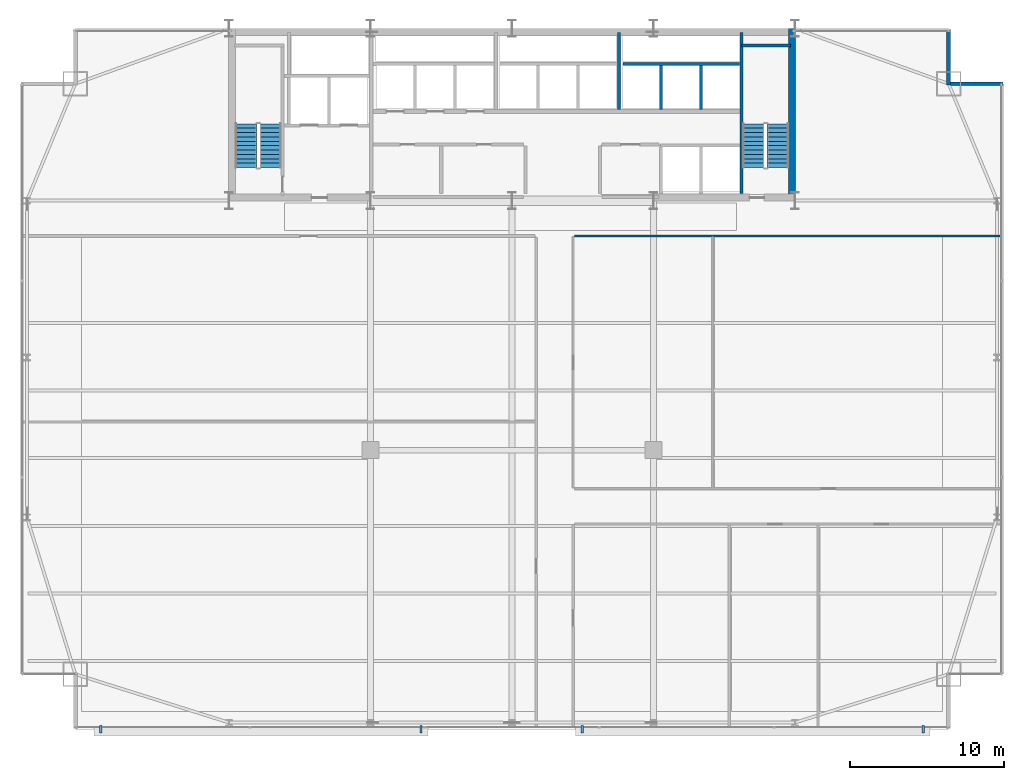
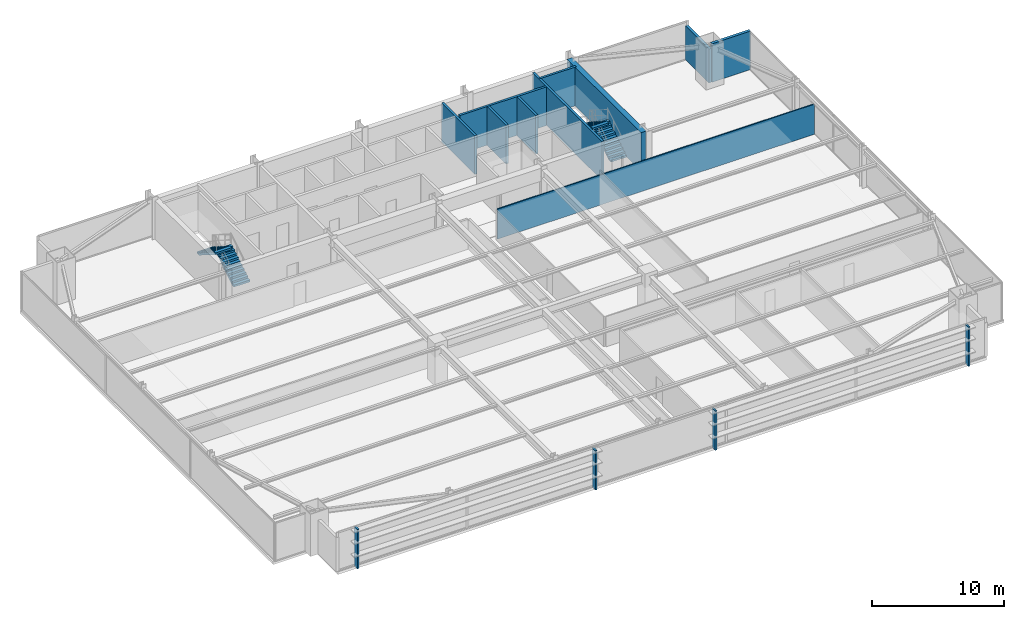
# One storey, part 30 of 32: 10 walls, 4 discrete accessories, 4 stair flights, 2 elements without a shape of their own.
"""IFC4 building model written with IfcOpenShell, lengths in metres."""

import ifcopenshell
import ifcopenshell.guid

model = None  # the IFC model being written
_history = None  # IfcOwnerHistory: only IFC2X3 demands one
_inside = {}  # id of a spatial element -> (the spatial element, [elements in it])
_under = {}  # id of a project, library or spatial element -> (it, [spatial elements below it])
_declared = {}  # id of a project -> (the project, [libraries it declares])
_typed = {}  # id of a type object -> (the type object, [elements of that type])
_made_of = {}  # id of a material, layer set ... -> (it, [elements and type objects made of it])


def new_model(schema):
    """Start an empty IFC model of exactly this schema.

    Asked for "IFC4X3", IfcOpenShell would pick the latest addendum, in which some entities
    have other attributes; the version numbers below select the first issue.
    IFC2X3 requires an IfcOwnerHistory on every rooted entity: one is made here for all.
    """
    global model, _history
    if schema == "IFC4X3":
        model = ifcopenshell.file(schema_version=(4, 3, 0, 0))
    else:
        model = ifcopenshell.file(schema=schema)
    _inside.clear()
    _under.clear()
    _declared.clear()
    _typed.clear()
    _made_of.clear()
    _history = None
    if model.schema == "IFC2X3":
        org = make("IfcOrganization", Name="unknown")
        user = make(
            "IfcPersonAndOrganization",
            ThePerson=make("IfcPerson", FamilyName="unknown"),
            TheOrganization=org,
        )
        app = make(
            "IfcApplication",
            ApplicationDeveloper=org,
            Version="unknown",
            ApplicationFullName="unknown",
            ApplicationIdentifier="unknown",
        )
        _history = make(
            "IfcOwnerHistory",
            OwningUser=user,
            OwningApplication=app,
            ChangeAction="ADDED",
            CreationDate=0,
        )
    return model


def make(cls, **values):
    """One entity of the class cls with the attributes given. An attribute that is None is left unset."""
    return model.create_entity(
        cls, **{name: value for name, value in values.items() if value is not None}
    )


def rooted(cls, **values):
    """An entity with a GlobalId (a new one), such as an element, a storey or a relation."""
    return make(cls, GlobalId=ifcopenshell.guid.new(), OwnerHistory=_history, **values)


def si_unit(unit_type, name, prefix=None):
    """IfcSIUnit, for example si_unit("LENGTHUNIT", "METRE", prefix="MILLI")."""
    return make("IfcSIUnit", UnitType=unit_type, Prefix=prefix, Name=name)


def assignment(units):
    """IfcUnitAssignment: the units of a project."""
    return None if units is None else make("IfcUnitAssignment", Units=units)


def point(xyz):
    """IfcCartesianPoint."""
    return None if xyz is None else make("IfcCartesianPoint", Coordinates=xyz)


def direction(xyz):
    """IfcDirection."""
    return None if xyz is None else make("IfcDirection", DirectionRatios=xyz)


def frame(location, z_axis=None, x_axis=None):
    """IfcAxis2Placement3D, a coordinate frame: its origin and axes. An axis left out is left unset."""
    return make(
        "IfcAxis2Placement3D",
        Location=point(location),
        Axis=direction(z_axis),
        RefDirection=direction(x_axis),
    )


def frame_2d(location, x_axis=None):
    """IfcAxis2Placement2D, a coordinate frame in the plane: its origin and x axis."""
    return make(
        "IfcAxis2Placement2D", Location=point(location), RefDirection=direction(x_axis)
    )


def origin():
    """The frame at (0, 0, 0) with its axes left unset."""
    return frame((0.0, 0.0, 0.0))


def origin_2d():
    """The frame at (0, 0) in the plane with its x axis left unset."""
    return frame_2d((0.0, 0.0))


def place(relative_to, where):
    """IfcLocalPlacement: puts the frame where relative to a parent placement (None: the world)."""
    return make(
        "IfcLocalPlacement", PlacementRelTo=relative_to, RelativePlacement=where
    )


def context(
    kind, dimensions, precision=None, world=None, true_north=None, identifier=None
):
    """IfcGeometricRepresentationContext, for example the 3D "Model" context."""
    return make(
        "IfcGeometricRepresentationContext",
        ContextIdentifier=identifier,
        ContextType=kind,
        CoordinateSpaceDimension=dimensions,
        Precision=precision,
        WorldCoordinateSystem=world,
        TrueNorth=true_north,
    )


def subcontext(parent, identifier, kind, view, scale=None):
    """IfcGeometricRepresentationSubContext, for example "Body" below "Model"."""
    return make(
        "IfcGeometricRepresentationSubContext",
        ContextIdentifier=identifier,
        ContextType=kind,
        ParentContext=parent,
        TargetScale=scale,
        TargetView=view,
    )


def project(units=None, contexts=None):
    """IfcProject with its units and contexts."""
    return rooted(
        "IfcProject",
        Name="project",
        RepresentationContexts=contexts,
        UnitsInContext=assignment(units),
    )


def spatial(cls, under=None, at=None, **own):
    """A site, building, storey or space (cls), placed at a placement, below another one or the project."""
    s = rooted(cls, ObjectPlacement=at, **own)
    if under is not None:
        _under.setdefault(under.id(), (under, []))[1].append(s)
    return s


def polyline(points):
    """IfcPolyline through the points."""
    return make("IfcPolyline", Points=[point(p) for p in points])


def profile(cls, at=None, kind="AREA", **sizes):
    """A parametric profile (cls). Its sizes go by their IFC names, for example OverallWidth=200.0."""
    return make(cls, ProfileType=kind, Position=at, **sizes)


def rectangle(**sizes):
    """IfcRectangleProfileDef."""
    return profile("IfcRectangleProfileDef", **sizes)


def outline(outer, holes=None, kind="AREA"):
    """IfcArbitraryClosedProfileDef: a profile drawn as a closed curve; with holes, ...WithVoids."""
    if holes is None:
        return make("IfcArbitraryClosedProfileDef", ProfileType=kind, OuterCurve=outer)
    return make(
        "IfcArbitraryProfileDefWithVoids",
        ProfileType=kind,
        OuterCurve=outer,
        InnerCurves=holes,
    )


def extrude(swept, where, along, depth):
    """IfcExtrudedAreaSolid: the profile swept, set in the frame where, extruded along a direction by depth."""
    return make(
        "IfcExtrudedAreaSolid",
        SweptArea=swept,
        Position=where,
        ExtrudedDirection=direction(along),
        Depth=depth,
    )


def shape(context_of_items, identifier, shape_type, items):
    """IfcShapeRepresentation: the items that make up one representation, for example the "Body"."""
    return make(
        "IfcShapeRepresentation",
        ContextOfItems=context_of_items,
        RepresentationIdentifier=identifier,
        RepresentationType=shape_type,
        Items=items,
    )


def source(mapping_origin, context_of_items, identifier, shape_type, items):
    """IfcRepresentationMap: a shape defined once, which mapped items show again and again."""
    return make(
        "IfcRepresentationMap",
        MappingOrigin=mapping_origin,
        MappedRepresentation=shape(context_of_items, identifier, shape_type, items),
    )


def transform(
    local_origin,
    x_axis=None,
    y_axis=None,
    z_axis=None,
    scale=None,
    scale2=None,
    scale3=None,
    uniform=True,
):
    """IfcCartesianTransformationOperator3D, or its non-uniform kind. x_axis, y_axis, z_axis: its Axis1, 2, 3."""
    if uniform:
        return make(
            "IfcCartesianTransformationOperator3D",
            Axis1=direction(x_axis),
            Axis2=direction(y_axis),
            LocalOrigin=point(local_origin),
            Scale=scale,
            Axis3=direction(z_axis),
        )
    return make(
        "IfcCartesianTransformationOperator3DnonUniform",
        Axis1=direction(x_axis),
        Axis2=direction(y_axis),
        LocalOrigin=point(local_origin),
        Scale=scale,
        Axis3=direction(z_axis),
        Scale2=scale2,
        Scale3=scale3,
    )


def mapped(mapping_source, mapping_target):
    """IfcMappedItem: shows the shape of a source again, moved by a transform."""
    return make(
        "IfcMappedItem", MappingSource=mapping_source, MappingTarget=mapping_target
    )


def material(Name=None, Category=None):
    """IfcMaterial."""
    return make("IfcMaterial", Name=Name, Category=Category)


def layer(
    of_material, thickness, ventilated=None, Name=None, Category=None, Priority=None
):
    """IfcMaterialLayer: one layer of a wall or slab, of a material (None: an air gap)."""
    return make(
        "IfcMaterialLayer",
        Material=of_material,
        LayerThickness=thickness,
        IsVentilated=ventilated,
        Name=Name,
        Category=Category,
        Priority=Priority,
    )


def layer_set(layers, Name=None):
    """IfcMaterialLayerSet."""
    return make("IfcMaterialLayerSet", MaterialLayers=layers, LayerSetName=Name)


def made_of(thing, what):
    """Note that an element or type object is made of a material, layer set ...; save() writes the relation."""
    if what is not None:
        _made_of.setdefault(what.id(), (what, []))[1].append(thing)
    return thing


def type_object(cls, material=None, **own):
    """A type object (cls), such as IfcWallType, which elements share."""
    return made_of(rooted(cls, **own), material)


def type_shapes(of_type, sources):
    """Give a type object the sources (RepresentationMaps) that its elements show as mapped items."""
    of_type.RepresentationMaps = sources


def element(
    cls,
    number,
    at=None,
    inside=None,
    cuts=None,
    type_object=None,
    material=None,
    context=None,
    identifier="Body",
    shape_type=None,
    held_by="IfcProductDefinitionShape",
    body=None,
    shapes=None,
    **own,
):
    """One element of the class cls, such as IfcWall. Its Tag is "e" and its number.

    at: its placement. inside: the storey or other place that contains it. cuts: it is an
    opening in that element (IfcRelVoidsElement). A single representation is given by context,
    identifier, shape_type and body (its items); several are given by shapes. held_by: the class
    of the entity that holds the representations. save() writes the other relations.
    """
    e = rooted(cls, Tag="e%d" % number, ObjectPlacement=at, **own)
    if body is not None:
        shapes = [shape(context, identifier, shape_type, body)]
    if shapes is not None:
        e.Representation = make(held_by, Representations=shapes)
    if inside is not None:
        _inside.setdefault(inside.id(), (inside, []))[1].append(e)
    if cuts is not None:
        rooted(
            "IfcRelVoidsElement", RelatingBuildingElement=cuts, RelatedOpeningElement=e
        )
    if type_object is not None:
        _typed.setdefault(type_object.id(), (type_object, []))[1].append(e)
    return made_of(e, material)


def aggregate(whole, parts):
    """IfcRelAggregates: a whole, such as a stair, and the parts it consists of."""
    return rooted("IfcRelAggregates", RelatingObject=whole, RelatedObjects=parts)


def save(model, path):
    """Write the relations noted so far, then the file.

    IfcRelAggregates (storeys below a building ...), IfcRelContainedInSpatialStructure (elements
    in a storey), IfcRelDefinesByType, IfcRelAssociatesMaterial and IfcRelDeclares: one each for
    every whole, place, type object, material and project.
    """
    for whole, parts in _under.values():
        aggregate(whole, parts)
    for where, things in _inside.values():
        rooted(
            "IfcRelContainedInSpatialStructure",
            RelatedElements=things,
            RelatingStructure=where,
        )
    for kind, things in _typed.values():
        rooted("IfcRelDefinesByType", RelatedObjects=things, RelatingType=kind)
    for what, things in _made_of.values():
        rooted("IfcRelAssociatesMaterial", RelatedObjects=things, RelatingMaterial=what)
    for by, libraries in _declared.values():
        rooted("IfcRelDeclares", RelatingContext=by, RelatedDefinitions=libraries)
    model.write(path)


model = new_model("IFC4")

# Units and contexts
model_context = context("Model", 3, precision=1e-05, world=origin(), true_north=direction((0.0, 1.0)))
body_context = subcontext(model_context, "Body", "Model", "MODEL_VIEW")
ifc_project = project(units=[si_unit("LENGTHUNIT", "METRE"), si_unit("AREAUNIT", "SQUARE_METRE"), si_unit("VOLUMEUNIT", "CUBIC_METRE"), si_unit("PLANEANGLEUNIT", "RADIAN"), si_unit("MASSUNIT", "GRAM", prefix="KILO")], contexts=[model_context])

# Site, building, storey
site_placement = place(None, origin())
site = spatial("IfcSite", under=ifc_project, at=site_placement, CompositionType="ELEMENT")
building_placement = place(site_placement, origin())
building = spatial("IfcBuilding", under=site, at=building_placement, Name="Varnel Quay Broadcast Tower", CompositionType="ELEMENT")
storey_placement = place(building_placement, frame((0.0, 0.0, 78.300048828125)))
storey = spatial("IfcBuildingStorey", under=building, at=storey_placement, Name="L18", CompositionType="ELEMENT", Elevation=78.300048828125)

# Walls
ifc_material_1 = material(Name="Concrete CSA A23.3 C50/60", Category="concrete")
ifc_layer_1 = layer(ifc_material_1, 0.199951171875, Name="Concrete CSA A23.3 C50/60")
ifc_layer_set_1 = layer_set([ifc_layer_1], Name="Concrete CSA A23.3 C50/60")
wall_type_1 = type_object("IfcWallType", Name="Wall_CoreShaftShear200", PredefinedType="SHEAR", material=ifc_layer_set_1)
wall_1_placement = place(storey_placement, frame((48.919921875, 36.050048828125, 0.0), z_axis=(0.0, 0.0, 1.0), x_axis=(0.0, 1.0, 0.0)))
element("IfcWall", 1, at=wall_1_placement, inside=storey, type_object=wall_type_1, Name="L18 Stair 2 West Structural Wall", PredefinedType="SHEAR", context=body_context, shape_type="SweptSolid", body=[
    extrude(rectangle(XDim=10.5, YDim=0.199951171875, at=frame_2d((5.25, 0.0))), origin(), (0.0, 0.0, 1.0), 3.579833984375),
])
wall_2_placement = place(storey_placement, frame((48.919921875, 45.679931640625, 0.0), z_axis=(0.0, 0.0, 1.0), x_axis=(1.0, 0.0, 0.0)))
element("IfcWall", 2, at=wall_2_placement, inside=storey, type_object=wall_type_1, Name="L18 Stair 2 North Structural Wall", PredefinedType="SHEAR", context=body_context, shape_type="SweptSolid", body=[
    extrude(rectangle(XDim=3.18017578125, YDim=0.199951171875, at=frame_2d((1.590087890625, 0.0))), origin(), (0.0, 0.0, 1.0), 3.579833984375),
])
wall_3_placement = place(storey_placement, frame((40.949951171875, 41.530029296875, 0.0), z_axis=(0.0, 0.0, 1.0), x_axis=(0.0, 1.0, 0.0)))
element("IfcWall", 3, at=wall_3_placement, inside=storey, type_object=wall_type_1, Name="L18 Mid-Rise Lift Shaft Divider 4", PredefinedType="SHEAR", context=body_context, shape_type="SweptSolid", body=[
    extrude(rectangle(XDim=5.02001953125, YDim=0.199951171875, at=frame_2d((2.510009765625, 0.0))), origin(), (0.0, 0.0, 1.0), 3.579833984375),
])
wall_4_placement = place(storey_placement, frame((41.219970703125, 44.5, 0.0), z_axis=(0.0, 0.0, 1.0), x_axis=(1.0, 0.0, 0.0)))
element("IfcWall", 4, at=wall_4_placement, inside=storey, type_object=wall_type_1, Name="L18 High-Rise Lift Shaft Rear Wall", PredefinedType="SHEAR", context=body_context, shape_type="SweptSolid", body=[
    extrude(rectangle(XDim=7.580078125, YDim=0.199951171875, at=frame_2d((3.7900390625, 0.0))), origin(), (0.0, 0.0, 1.0), 3.579833984375),
])
for number, where, z_axis, x_axis, name in (
    (5, (43.699951171875, 41.530029296875, 0.0), (0.0, 0.0, 1.0), (0.0, 1.0, 0.0), "L18 High-Rise Lift Shaft Divider 2"),
    (6, (46.300048828125, 41.530029296875, 0.0), (0.0, 0.0, 1.0), (0.0, 1.0, 0.0), "L18 High-Rise Lift Shaft Divider 3"),
):
    element("IfcWall", number, at=place(storey_placement, frame(where, z_axis=z_axis, x_axis=x_axis)), inside=storey, type_object=wall_type_1, Name=name, PredefinedType="SHEAR", context=body_context, shape_type="SweptSolid", body=[
        extrude(rectangle(XDim=2.869873046875, YDim=0.199951171875, at=frame_2d((1.43505859375, 0.0))), origin(), (0.0, 0.0, 1.0), 3.579833984375),
    ])
ifc_material_2 = material(Name="Concrete CSA A23.3 C60/75", Category="concrete")
ifc_layer_2 = layer(ifc_material_2, 0.449951171875, Name="Concrete CSA A23.3 C60/75")
ifc_layer_set_2 = layer_set([ifc_layer_2], Name="Concrete CSA A23.3 C60/75")
wall_type_2 = type_object("IfcWallType", Name="Wall_CoreShearInt450", PredefinedType="SHEAR", material=ifc_layer_set_2)
wall_5_placement = place(storey_placement, frame((52.205078125, 35.570068359375, 0.0), z_axis=(0.0, 0.0, 1.0), x_axis=(0.0, 1.0, 0.0)))
element("IfcWall", 7, at=wall_5_placement, inside=storey, type_object=wall_type_2, Name="L18 East Core Shear Wall", PredefinedType="SHEAR", context=body_context, shape_type="SweptSolid", body=[
    extrude(rectangle(XDim=11.22998046875, YDim=0.449951171875, at=frame_2d((5.614990234375, 0.0))), origin(), (0.0, 0.0, 1.0), 3.579833984375),
])
ifc_material_3 = material(Name="Precast Architectural Concrete C40/50", Category="concrete")
ifc_layer_3 = layer(ifc_material_3, 0.25, Name="Precast Architectural Concrete C40/50")
ifc_layer_set_3 = layer_set([ifc_layer_3], Name="Precast Architectural Concrete C40/50")
wall_type_3 = type_object("IfcWallType", Name="Wall_ExtTerrace250", PredefinedType="SOLIDWALL", material=ifc_layer_set_3)
wall_6_placement = place(storey_placement, frame((62.530029296875, 43.199951171875, 0.0), z_axis=(0.0, 0.0, 1.0), x_axis=(1.0, 0.0, 0.0)))
element("IfcWall", 8, at=wall_6_placement, inside=storey, type_object=wall_type_3, Name="L18 Mega-Column Notch Cladding Wall NNE1", PredefinedType="SOLIDWALL", context=body_context, shape_type="SweptSolid", body=[
    extrude(rectangle(XDim=3.389892578125, YDim=0.25, at=frame_2d((1.69482421875, 0.0))), origin(), (0.0, 0.0, 1.0), 3.56005859375),
])
wall_7_placement = place(storey_placement, frame((62.39990234375, 43.1201171875, 0.0), z_axis=(0.0, 0.0, 1.0), x_axis=(0.0, 1.0, 0.0)))
element("IfcWall", 9, at=wall_7_placement, inside=storey, type_object=wall_type_3, Name="L18 Mega-Column Notch Cladding Wall NNE2", PredefinedType="SOLIDWALL", context=body_context, shape_type="SweptSolid", body=[
    extrude(rectangle(XDim=3.599853515625, YDim=0.25, at=frame_2d((1.7998046875, 0.0))), origin(), (0.0, 0.0, 1.0), 3.137939453125),
])
ifc_material_4 = material(Name="Steel-Stud Fire-Rated Acoustic Gypsum Partition Assembly", Category="steel")
ifc_layer_4 = layer(ifc_material_4, 0.10498046875, Name="Steel-Stud Fire-Rated Acoustic Gypsum Partition Assembly")
ifc_layer_set_4 = layer_set([ifc_layer_4], Name="Steel-Stud Fire-Rated Acoustic Gypsum Partition Assembly")
wall_type_4 = type_object("IfcWallType", Name="Wall_Partition105", PredefinedType="PARTITIONING", material=ifc_layer_set_4)
wall_8_placement = place(storey_placement, frame((38.080078125, 33.300048828125, 0.0), z_axis=(0.0, 0.0, 1.0), x_axis=(1.0, 0.0, 0.0)))
element("IfcWall", 10, at=wall_8_placement, inside=storey, type_object=wall_type_4, Name="L18 Lens & Rigging Store 6 Partition 17", PredefinedType="PARTITIONING", context=body_context, shape_type="SweptSolid", body=[
    extrude(rectangle(XDim=27.739990234375, YDim=0.10498046875, at=frame_2d((13.8701171875, 0.0))), origin(), (0.0, 0.0, 1.0), 2.781982421875),
])

# Stair, stair flights
ifc_material_5 = material(Name="Precast Structural Concrete C40/50", Category="concrete")
stair_type_1 = type_object("IfcStairType", Name="Stair_ST-01", PredefinedType="HALF_TURN_STAIR", material=ifc_material_5)
stair_1_placement = place(storey_placement, origin())
stair_1 = element("IfcStair", 11, at=stair_1_placement, inside=storey, type_object=stair_type_1, Name="L18 West Core Exit Stair 1", PredefinedType="HALF_TURN_STAIR")
stair_flight_type_1 = type_object("IfcStairFlightType", Name="Flight_ST-01", PredefinedType="STRAIGHT", material=ifc_material_5)
stair_flight_1_placement = place(storey_placement, frame((18.300048828125, 37.75, 0.0), z_axis=(0.0, 0.0, 1.0), x_axis=(0.0, 1.0, 0.0)))
stair_flight_1 = element("IfcStairFlight", 12, at=stair_flight_1_placement, type_object=stair_flight_type_1, Name="ST-01 flight 1", NumberOfRisers=11, NumberOfTreads=10, PredefinedType="STRAIGHT", RiserHeight=0.177272727, TreadLength=0.285, context=body_context, shape_type="SweptSolid", body=[
    extrude(outline(polyline([(0.0, 0.0), (0.0, 0.17724609375), (0.284912109375, 0.17724609375), (0.284912109375, 0.3544921875), (0.570068359375, 0.3544921875), (0.570068359375, 0.53173828125), (0.85498046875, 0.53173828125), (0.85498046875, 0.708984375), (1.139892578125, 0.708984375), (1.139892578125, 0.886474609375), (1.425048828125, 0.886474609375), (1.425048828125, 1.063720703125), (1.7099609375, 1.063720703125), (1.7099609375, 1.240966796875), (1.9951171875, 1.240966796875), (1.9951171875, 1.418212890625), (2.280029296875, 1.418212890625), (2.280029296875, 1.595458984375), (2.56494140625, 1.595458984375), (2.56494140625, 1.772705078125), (2.85009765625, 1.772705078125), (2.85009765625, 1.949951171875), (2.85009765625, 1.59619140625), (0.283935546875, 0.0), (0.0, 0.0)])), frame((0.0, 0.699951171875, 0.0), z_axis=(0.0, -1.0, 0.0), x_axis=(1.0, 0.0, 0.0)), (0.0, 0.0, 1.0), 1.39990234375),
])
stair_flight_2_placement = place(storey_placement, frame((16.699951171875, 40.60009765625, 1.949951171875), z_axis=(0.0, 0.0, 1.0), x_axis=(0.0, -1.0, 0.0)))
stair_flight_2 = element("IfcStairFlight", 13, at=stair_flight_2_placement, type_object=stair_flight_type_1, Name="ST-01 flight 2", NumberOfRisers=11, NumberOfTreads=10, PredefinedType="STRAIGHT", RiserHeight=0.177272727, TreadLength=0.285, context=body_context, shape_type="SweptSolid", body=[
    extrude(outline(polyline([(0.0, 0.0), (0.0, 0.17724609375), (0.284912109375, 0.17724609375), (0.284912109375, 0.3544921875), (0.570068359375, 0.3544921875), (0.570068359375, 0.53173828125), (0.85498046875, 0.53173828125), (0.85498046875, 0.708984375), (1.139892578125, 0.708984375), (1.139892578125, 0.886474609375), (1.425048828125, 0.886474609375), (1.425048828125, 1.063720703125), (1.7099609375, 1.063720703125), (1.7099609375, 1.240966796875), (1.9951171875, 1.240966796875), (1.9951171875, 1.418212890625), (2.280029296875, 1.418212890625), (2.280029296875, 1.595458984375), (2.56494140625, 1.595458984375), (2.56494140625, 1.772705078125), (2.85009765625, 1.772705078125), (2.85009765625, 1.949951171875), (2.85009765625, 1.59619140625), (0.283935546875, 0.0), (0.0, 0.0)])), frame((0.0, 0.699951171875, 0.0), z_axis=(0.0, -1.0, 0.0), x_axis=(1.0, 0.0, 0.0)), (0.0, 0.0, 1.0), 1.39990234375),
])
aggregate(stair_1, [stair_flight_1, stair_flight_2])

stair_type_2 = type_object("IfcStairType", Name="Stair_ST-02", PredefinedType="HALF_TURN_STAIR", material=ifc_material_5)
stair_2_placement = place(storey_placement, origin())
stair_2 = element("IfcStair", 14, at=stair_2_placement, inside=storey, type_object=stair_type_2, Name="L18 East Core Exit Stair 2", PredefinedType="HALF_TURN_STAIR")
stair_flight_type_2 = type_object("IfcStairFlightType", Name="Flight_ST-02", PredefinedType="STRAIGHT", material=ifc_material_5)
stair_flight_3_placement = place(storey_placement, frame((51.300048828125, 37.75, 0.0), z_axis=(0.0, 0.0, 1.0), x_axis=(0.0, 1.0, 0.0)))
stair_flight_3 = element("IfcStairFlight", 15, at=stair_flight_3_placement, type_object=stair_flight_type_2, Name="ST-02 flight 1", NumberOfRisers=11, NumberOfTreads=10, PredefinedType="STRAIGHT", RiserHeight=0.177272727, TreadLength=0.285, context=body_context, shape_type="SweptSolid", body=[
    extrude(outline(polyline([(0.0, 0.0), (0.0, 0.17724609375), (0.284912109375, 0.17724609375), (0.284912109375, 0.3544921875), (0.570068359375, 0.3544921875), (0.570068359375, 0.53173828125), (0.85498046875, 0.53173828125), (0.85498046875, 0.708984375), (1.139892578125, 0.708984375), (1.139892578125, 0.886474609375), (1.425048828125, 0.886474609375), (1.425048828125, 1.063720703125), (1.7099609375, 1.063720703125), (1.7099609375, 1.240966796875), (1.9951171875, 1.240966796875), (1.9951171875, 1.418212890625), (2.280029296875, 1.418212890625), (2.280029296875, 1.595458984375), (2.56494140625, 1.595458984375), (2.56494140625, 1.772705078125), (2.85009765625, 1.772705078125), (2.85009765625, 1.949951171875), (2.85009765625, 1.59619140625), (0.283935546875, 0.0), (0.0, 0.0)])), frame((0.0, 0.699951171875, 0.0), z_axis=(0.0, -1.0, 0.0), x_axis=(1.0, 0.0, 0.0)), (0.0, 0.0, 1.0), 1.39990234375),
])
stair_flight_4_placement = place(storey_placement, frame((49.699951171875, 40.60009765625, 1.949951171875), z_axis=(0.0, 0.0, 1.0), x_axis=(0.0, -1.0, 0.0)))
stair_flight_4 = element("IfcStairFlight", 16, at=stair_flight_4_placement, type_object=stair_flight_type_2, Name="ST-02 flight 2", NumberOfRisers=11, NumberOfTreads=10, PredefinedType="STRAIGHT", RiserHeight=0.177272727, TreadLength=0.285, context=body_context, shape_type="SweptSolid", body=[
    extrude(outline(polyline([(0.0, 0.0), (0.0, 0.17724609375), (0.284912109375, 0.17724609375), (0.284912109375, 0.3544921875), (0.570068359375, 0.3544921875), (0.570068359375, 0.53173828125), (0.85498046875, 0.53173828125), (0.85498046875, 0.708984375), (1.139892578125, 0.708984375), (1.139892578125, 0.886474609375), (1.425048828125, 0.886474609375), (1.425048828125, 1.063720703125), (1.7099609375, 1.063720703125), (1.7099609375, 1.240966796875), (1.9951171875, 1.240966796875), (1.9951171875, 1.418212890625), (2.280029296875, 1.418212890625), (2.280029296875, 1.595458984375), (2.56494140625, 1.595458984375), (2.56494140625, 1.772705078125), (2.85009765625, 1.772705078125), (2.85009765625, 1.949951171875), (2.85009765625, 1.59619140625), (0.283935546875, 0.0), (0.0, 0.0)])), frame((0.0, 0.699951171875, 0.0), z_axis=(0.0, -1.0, 0.0), x_axis=(1.0, 0.0, 0.0)), (0.0, 0.0, 1.0), 1.39990234375),
])
aggregate(stair_2, [stair_flight_3, stair_flight_4])

# Discrete accessories
ifc_material_6 = material(Name="Anodised Bronze Aluminium 6063-T6", Category="aluminium")
ifc_layer_5 = layer(ifc_material_6, 0.47998046875, Name="Anodised Bronze Aluminium 6063-T6")
ifc_layer_set_5 = layer_set([ifc_layer_5], Name="Anodised Bronze Aluminium 6063-T6")
discrete_accessory_type = type_object("IfcDiscreteAccessoryType", Name="Acc_FacadeBracket", PredefinedType="BRACKET", material=ifc_layer_set_5)
shared_shape = source(origin(), body_context, "Body", "SweptSolid", [
    extrude(rectangle(XDim=0.159912109375, YDim=0.47998046875, at=origin_2d()), origin(), (0.0, 0.0, 1.0), 3.64990234375),
])
type_shapes(discrete_accessory_type, [shared_shape])
for number, where, z_axis, x_axis, name in (
    (17, (7.25, 1.219970703125, -0.14990234375), (0.0, 0.0, 1.0), (1.0, 0.0, 0.0), "L18 Lobe 1 Louvre Support Bracket 1"),
    (18, (28.0810546875, 1.219970703125, -0.14990234375), (0.0, 0.0, 1.0), (1.0, 0.0, 0.0), "L18 Lobe 1 Louvre Support Bracket 2"),
    (19, (38.5810546875, 1.219970703125, -0.14990234375), (0.0, 0.0, 1.0), (1.0, 0.0, 0.0), "L18 Lobe 2 Louvre Support Bracket 1"),
    (20, (60.75, 1.219970703125, -0.14990234375), (0.0, 0.0, 1.0), (1.0, 0.0, 0.0), "L18 Lobe 2 Louvre Support Bracket 2"),
):
    element("IfcDiscreteAccessory", number, at=place(storey_placement, frame(where, z_axis=z_axis, x_axis=x_axis)), inside=storey, type_object=discrete_accessory_type, Name=name, PredefinedType="BRACKET", context=body_context, shape_type="MappedRepresentation", body=[
        mapped(shared_shape, transform((0.0, 0.0, 0.0), x_axis=(1.0, 0.0, 0.0), y_axis=(0.0, 1.0, 0.0), z_axis=(0.0, 0.0, 1.0), scale=1.0)),
    ])

save(model, "model.ifc")
